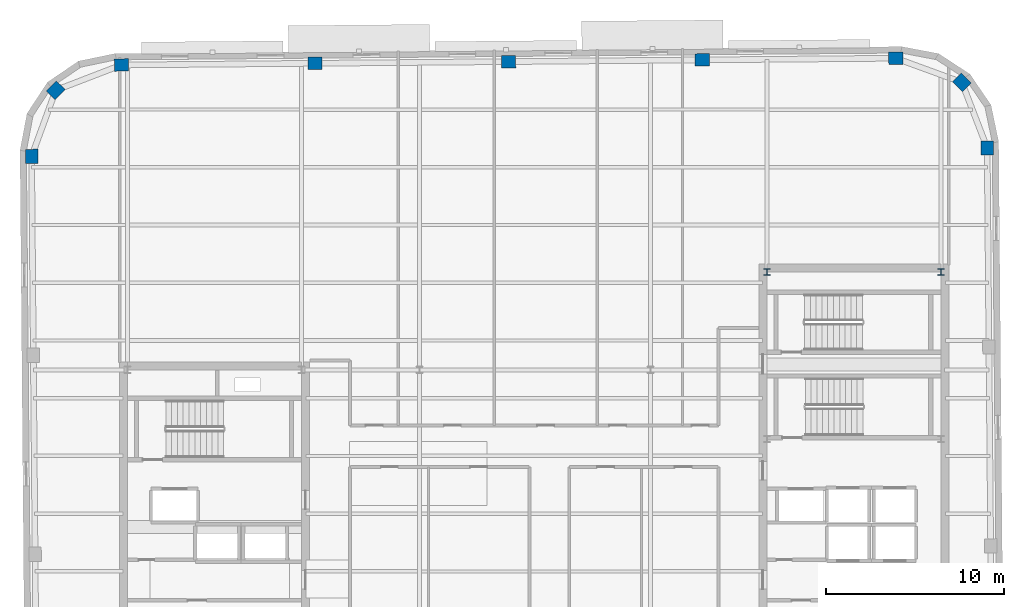
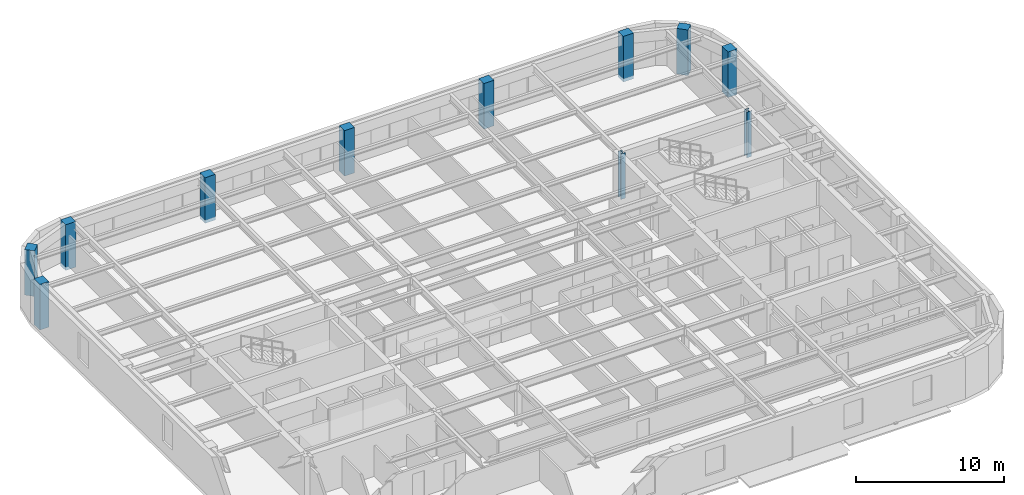
# One storey, part 3 of 13: 11 columns.
"""IFC4 building model written with IfcOpenShell, lengths in metres."""

from ifc_helpers import new_model, si_unit, direction, frame, origin, origin_2d, place, context, subcontext, project, spatial, rectangle, i_section, extrude, material, material_profile, profile_set, type_object, element, save


model = new_model("IFC4")

# Units and contexts
model_context = context("Model", 3, precision=1e-05, world=origin(), true_north=direction((0.0, 1.0)))
body_context = subcontext(model_context, "Body", "Model", "MODEL_VIEW")
ifc_project = project(units=[si_unit("LENGTHUNIT", "METRE"), si_unit("AREAUNIT", "SQUARE_METRE"), si_unit("VOLUMEUNIT", "CUBIC_METRE"), si_unit("PLANEANGLEUNIT", "RADIAN"), si_unit("MASSUNIT", "GRAM", prefix="KILO")], contexts=[model_context])

# Site, building, storey
site_placement = place(None, origin())
site = spatial("IfcSite", under=ifc_project, at=site_placement, CompositionType="ELEMENT")
building_placement = place(site_placement, origin())
building = spatial("IfcBuilding", under=site, at=building_placement, Name="Kolvaren Arena Tower", CompositionType="ELEMENT")
storey_placement = place(building_placement, frame((0.0, 0.0, 301.14990234375)))
storey = spatial("IfcBuildingStorey", under=building, at=storey_placement, Name="L74", CompositionType="ELEMENT", Elevation=301.14990234375)

# Columns
ifc_material_1 = material(Name="Precast concrete C50/60", Category="concrete")
ifc_material_profile_1 = material_profile(ifc_material_1, rectangle(XDim=0.800048828125, YDim=0.699951171875, at=origin_2d()), Name="RC-800x700")
ifc_profile_set_1 = profile_set([ifc_material_profile_1], Name="Precast concrete C50/60")
column_type_1 = type_object("IfcColumnType", Name="EXCOL-Z5", PredefinedType="COLUMN", material=ifc_profile_set_1)
for number, where, z_axis, x_axis, name in (
    (1, (62.952392578125, 46.333984375, -0.27001953125), (0.0, 0.0, 1.0), (-0.008726535498, 0.999961923064, 0.0), "Exoskeleton Perimeter Column 10 (L74)"),
    (2, (61.52880859375, 50.030517578125, -0.27001953125), (0.0, 0.0, 1.0), (-0.713250449154, 0.7009092643, 0.0), "Exoskeleton Perimeter Column 11 (L74)"),
    (3, (57.80810546875, 51.389404296875, -0.27001953125), (0.0, 0.0, 1.0), (0.999961923064, 0.008726535498, 0.0), "Exoskeleton Perimeter Column 12 (L74)"),
    (4, (46.908447265625, 51.294189453125, -0.27001953125), (0.0, 0.0, 1.0), (0.999961923064, 0.008726535498, 0.0), "Exoskeleton Perimeter Column 13 (L74)"),
    (5, (36.0087890625, 51.19921875, -0.27001953125), (0.0, 0.0, 1.0), (0.999961923064, 0.008726535498, 0.0), "Exoskeleton Perimeter Column 14 (L74)"),
    (6, (25.109375, 51.10400390625, -0.27001953125), (0.0, 0.0, 1.0), (0.999961923064, 0.008726535498, 0.0), "Exoskeleton Perimeter Column 15 (L74)"),
    (7, (14.209716796875, 51.0087890625, -0.27001953125), (0.0, 0.0, 1.0), (0.999961923064, 0.008726535498, 0.0), "Exoskeleton Perimeter Column 16 (L74)"),
    (8, (10.51318359375, 49.58544921875, -0.27001953125), (0.0, 0.0, 1.0), (0.7009092643, 0.713250449154, 0.0), "Exoskeleton Perimeter Column 17 (L74)"),
    (9, (9.154296875, 45.864501953125, -0.27001953125), (0.0, 0.0, 1.0), (-0.008726535498, 0.999961923064, 0.0), "Exoskeleton Perimeter Column 18 (L74)"),
):
    element("IfcColumn", number, at=place(storey_placement, frame(where, z_axis=z_axis, x_axis=x_axis)), inside=storey, type_object=column_type_1, Name=name, PredefinedType="COLUMN", context=body_context, shape_type="SweptSolid", body=[
        extrude(rectangle(XDim=0.800048828125, YDim=0.699951171875, at=origin_2d()), origin(), (0.0, 0.0, 1.0), 3.75),
    ])
ifc_material_2 = material(Name="Steel ASTM A913 Grade 65", Category="steel")
ifc_material_profile_2 = material_profile(ifc_material_2, i_section(OverallWidth=0.3740234375, OverallDepth=0.3720703125, WebThickness=0.016357421875, FlangeThickness=0.026123046875, FilletRadius=0.02001953125, at=origin_2d()), Name="W360x196")
ifc_profile_set_2 = profile_set([ifc_material_profile_2], Name="Steel ASTM A913 Grade 65")
column_type_2 = type_object("IfcColumnType", Name="SCOL-Z5", PredefinedType="COLUMN", material=ifc_profile_set_2)
for number, where, z_axis, x_axis, name in (
    (10, (50.550048828125, 39.35009765625, -0.27001953125), (0.0, 0.0, 1.0), (1.0, 0.0, 0.0), "Core Boundary Column EC-NW (L74)"),
    (11, (60.35009765625, 39.35009765625, -0.27001953125), (0.0, 0.0, 1.0), (1.0, 0.0, 0.0), "Core Boundary Column EC-NE (L74)"),
):
    element("IfcColumn", number, at=place(storey_placement, frame(where, z_axis=z_axis, x_axis=x_axis)), inside=storey, type_object=column_type_2, Name=name, PredefinedType="COLUMN", context=body_context, shape_type="SweptSolid", body=[
        extrude(i_section(OverallWidth=0.3740234375, OverallDepth=0.3720703125, WebThickness=0.016357421875, FlangeThickness=0.026123046875, FilletRadius=0.02001953125, at=origin_2d()), origin(), (0.0, 0.0, 1.0), 3.75),
    ])

save(model, "model.ifc")
